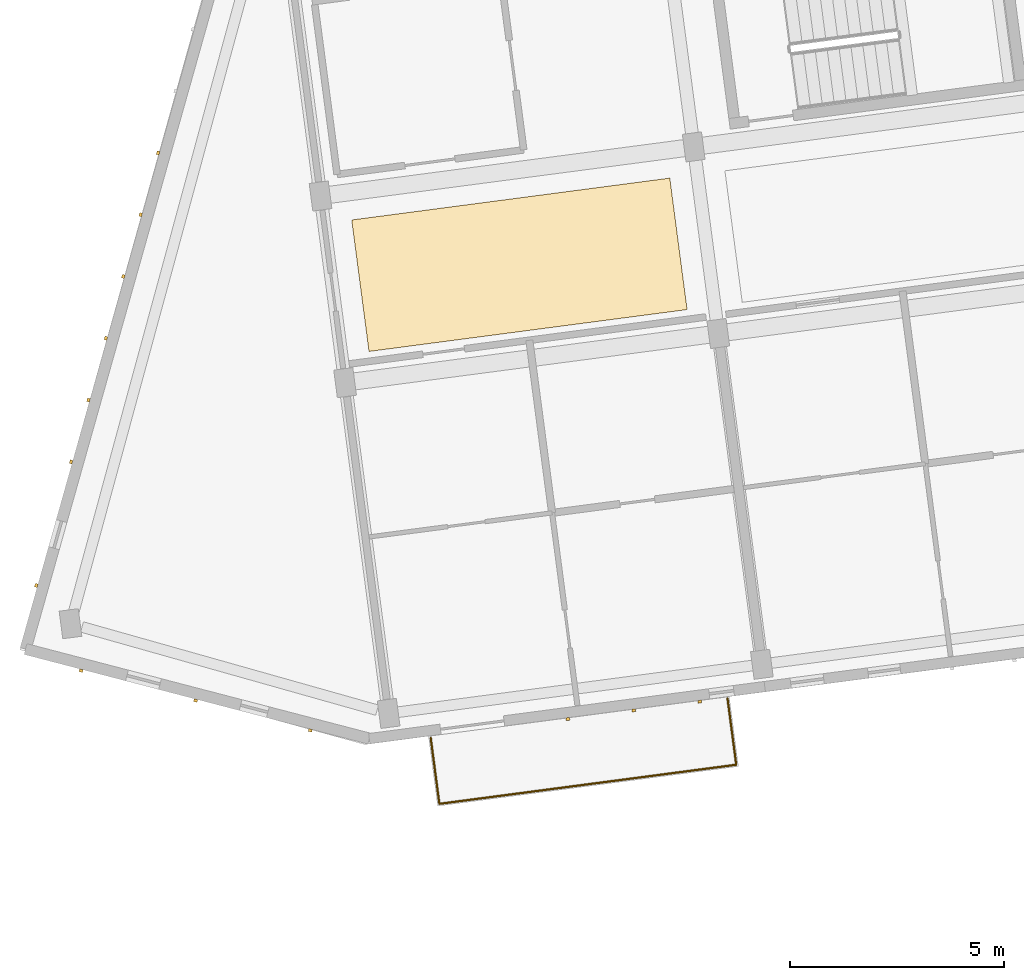
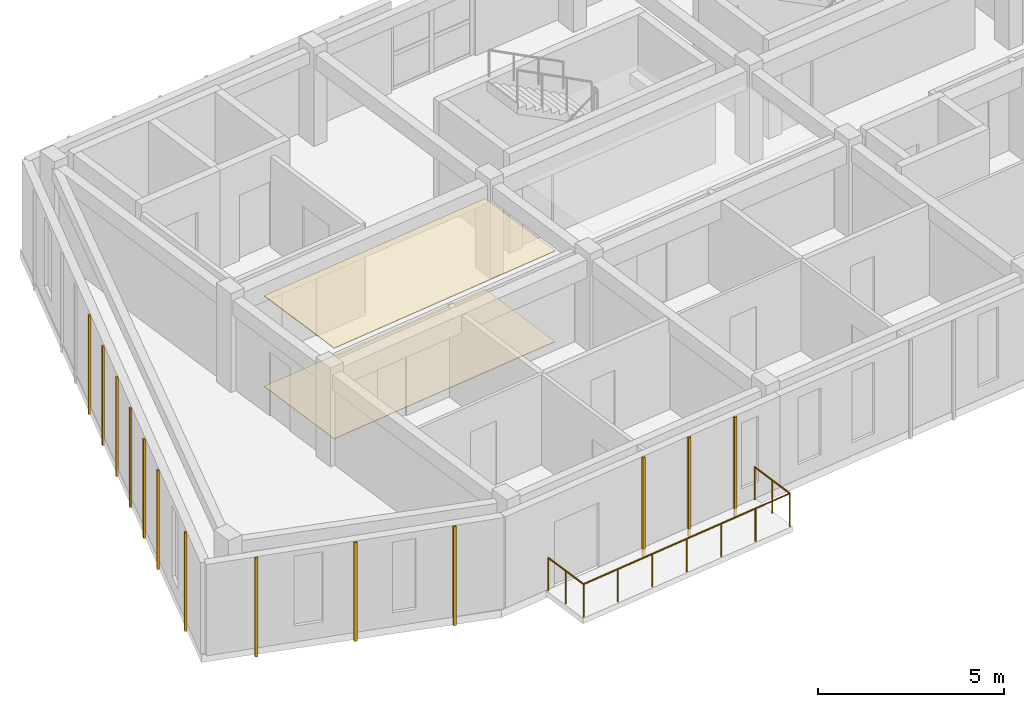
# One storey, part 36 of 56: 15 coverings, 1 railing.
"""IFC4 building model written with IfcOpenShell, lengths in metres."""

from ifc_helpers import new_model, si_unit, direction, frame, origin, origin_2d, place, context, subcontext, project, spatial, polyline, rectangle, circle, outline, extrude, material, layer, layer_set, type_object, element, save


model = new_model("IFC4")

# Units and contexts
model_context = context("Model", 3, precision=1e-05, world=origin(), true_north=direction((0.0, 1.0)))
body_context = subcontext(model_context, "Body", "Model", "MODEL_VIEW")
ifc_project = project(units=[si_unit("LENGTHUNIT", "METRE"), si_unit("AREAUNIT", "SQUARE_METRE"), si_unit("VOLUMEUNIT", "CUBIC_METRE"), si_unit("PLANEANGLEUNIT", "RADIAN"), si_unit("MASSUNIT", "GRAM", prefix="KILO")], contexts=[model_context])

# Site, building, storey
site_placement = place(None, origin())
site = spatial("IfcSite", under=ifc_project, at=site_placement, CompositionType="ELEMENT")
building_placement = place(site_placement, origin())
building = spatial("IfcBuilding", under=site, at=building_placement, Name="Kestramere Prow Commons", CompositionType="ELEMENT")
storey_placement = place(building_placement, frame((0.0, 0.0, 27.89990234375)))
storey = spatial("IfcBuildingStorey", under=building, at=storey_placement, Name="L08", CompositionType="ELEMENT", Elevation=27.89990234375)

# Coverings
ifc_material_1 = material(Name="Mineral Fibre Acoustic Ceiling Tile")
ifc_layer_1 = layer(ifc_material_1, 0.02490234375)
ifc_layer_set_1 = layer_set([ifc_layer_1], Name="Mineral Fibre Acoustic Ceiling Tile")
covering_type_1 = type_object("IfcCoveringType", Name="COV-CEIL-ACOUSTIC", PredefinedType="CEILING", material=ifc_layer_set_1)
covering_1_placement = place(storey_placement, frame((0.0, 0.0, 2.97509765625)))
element("IfcCovering", 1, at=covering_1_placement, inside=storey, type_object=covering_type_1, Name="Block A L08 Corridor Acoustic Ceiling 1", PredefinedType="CEILING", context=body_context, shape_type="SweptSolid", body=[
    extrude(outline(polyline([(10.741455078125, 80.462646484375), (18.17724609375, 81.44140625), (17.772705078125, 84.514892578125), (10.3369140625, 83.5361328125), (10.741455078125, 80.462646484375)])), origin(), (0.0, 0.0, 1.0), 0.02490234375),
])
ifc_material_2 = material(Name="Weathered Zinc-Titanium Standing-Seam Cladding")
ifc_layer_2 = layer(ifc_material_2, 0.074951171875)
ifc_layer_set_2 = layer_set([ifc_layer_2], Name="Weathered Zinc-Titanium Standing-Seam Cladding")
covering_type_2 = type_object("IfcCoveringType", Name="COV-CLAD-SEAM", PredefinedType="CLADDING", material=ifc_layer_set_2)
for number, where, z_axis, x_axis, name in (
    (2, (18.47216796875, 72.274169921875, -0.25), (0.0, 0.0, 1.0), (-0.991444861374, -0.13052619222, 0.0), "EW-A-L08-S-0 Standing-Seam Rib 1"),
    (3, (16.931396484375, 72.0712890625, -0.25), (0.0, 0.0, 1.0), (-0.991444861374, -0.13052619222, 0.0), "EW-A-L08-S-0 Standing-Seam Rib 2"),
    (4, (15.390625, 71.868408203125, -0.25), (0.0, 0.0, 1.0), (-0.991444861374, -0.13052619222, 0.0), "EW-A-L08-S-0 Standing-Seam Rib 3"),
    (5, (9.367431640625, 71.602783203125, -0.25), (0.0, 0.0, 1.0), (-0.96769817096, 0.252111582281, 0.0), "EW-A-L08-PRW-S Standing-Seam Rib 1"),
    (6, (6.6884765625, 72.300537109375, -0.25), (0.0, 0.0, 1.0), (-0.96769817096, 0.252111582281, 0.0), "EW-A-L08-PRW-S Standing-Seam Rib 3"),
    (7, (4.009521484375, 72.99853515625, -0.25), (0.0, 0.0, 1.0), (-0.96769817096, 0.252111582281, 0.0), "EW-A-L08-PRW-S Standing-Seam Rib 5"),
    (8, (2.96142578125, 74.9931640625, -0.25), (0.0, 0.0, 1.0), (0.271159911526, 0.962534312314, 0.0), "EW-A-L08-PRW-N Standing-Seam Rib 1"),
    (9, (3.775146484375, 77.8818359375, -0.25), (0.0, 0.0, 1.0), (0.271159911526, 0.962534312314, 0.0), "EW-A-L08-PRW-N Standing-Seam Rib 3"),
    (10, (4.18212890625, 79.326171875, -0.25), (0.0, 0.0, 1.0), (0.271159911526, 0.962534312314, 0.0), "EW-A-L08-PRW-N Standing-Seam Rib 4"),
    (11, (4.5888671875, 80.7705078125, -0.25), (0.0, 0.0, 1.0), (0.271159911526, 0.962534312314, 0.0), "EW-A-L08-PRW-N Standing-Seam Rib 5"),
    (12, (4.995849609375, 82.21484375, -0.25), (0.0, 0.0, 1.0), (0.271159911526, 0.962534312314, 0.0), "EW-A-L08-PRW-N Standing-Seam Rib 6"),
    (13, (5.40283203125, 83.6591796875, -0.25), (0.0, 0.0, 1.0), (0.271159911526, 0.962534312314, 0.0), "EW-A-L08-PRW-N Standing-Seam Rib 7"),
    (14, (5.8095703125, 85.103271484375, -0.25), (0.0, 0.0, 1.0), (0.271159911526, 0.962534312314, 0.0), "EW-A-L08-PRW-N Standing-Seam Rib 8"),
):
    element("IfcCovering", number, at=place(storey_placement, frame(where, z_axis=z_axis, x_axis=x_axis)), inside=storey, type_object=covering_type_2, Name=name, PredefinedType="CLADDING", context=body_context, shape_type="SweptSolid", body=[
        extrude(rectangle(XDim=0.0849609375, YDim=0.06494140625, at=origin_2d()), origin(), (0.0, 0.0, 1.0), 3.25),
    ])
ifc_material_3 = material(Name="Honed Cementitious Terrazzo Tile")
ifc_layer_3 = layer(ifc_material_3, 0.02001953125)
ifc_layer_set_3 = layer_set([ifc_layer_3], Name="Honed Cementitious Terrazzo Tile")
covering_type_3 = type_object("IfcCoveringType", Name="COV-FLOOR-TERRAZZO", PredefinedType="FLOORING", material=ifc_layer_set_3)
covering_2_placement = place(storey_placement, origin())
element("IfcCovering", 15, at=covering_2_placement, inside=storey, type_object=covering_type_3, Name="Block A L08 Corridor Terrazzo Flooring 1", PredefinedType="FLOORING", context=body_context, shape_type="SweptSolid", body=[
    extrude(outline(polyline([(10.741455078125, 80.462646484375), (18.17724609375, 81.44140625), (17.772705078125, 84.514892578125), (10.3369140625, 83.5361328125), (10.741455078125, 80.462646484375)])), origin(), (0.0, 0.0, 1.0), 0.02001953125),
])

# Railing
ifc_material_4 = material(Name="Powder-Coated Aluminium 6063-T6", Category="aluminium")
railing_type = type_object("IfcRailingType", Name="GRD-BALC-1100", PredefinedType="BALUSTRADE", material=ifc_material_4)
railing_placement = place(storey_placement, frame((12.182373046875, 71.433349609375, 0.0)))
element("IfcRailing", 16, at=railing_placement, inside=storey, type_object=railing_type, Name="Block A L08 Balcony Guardrail 1", PredefinedType="BALUSTRADE", context=body_context, shape_type="SweptSolid", body=[
    extrude(circle(Radius=0.02392578125, at=origin_2d()), frame((0.0, 0.0, 1.076171875), z_axis=(0.130523335136, -0.991445237512, 0.0), x_axis=(0.991445237512, 0.130523335136, 0.0)), (0.0, 0.0, 1.0), 1.56005859375),
    extrude(circle(Radius=0.02392578125, at=origin_2d()), frame((0.20361328125, -1.546630859375, 1.076171875), z_axis=(0.991447052715, 0.13050954625, 0.0), x_axis=(-0.13050954625, 0.991447052715, 0.0)), (0.0, 0.0, 1.0), 7.0),
    extrude(circle(Radius=0.02392578125, at=origin_2d()), frame((7.143798828125, -0.633056640625, 1.076171875), z_axis=(-0.130503085734, 0.991447903127, 0.0), x_axis=(-0.991447903127, -0.130503085734, 0.0)), (0.0, 0.0, 1.0), 1.560302734375),
    extrude(circle(Radius=0.02099609375, at=origin_2d()), origin(), (0.0, 0.0, 1.0), 1.052001953125),
    extrude(circle(Radius=0.02099609375, at=origin_2d()), frame((0.101806640625, -0.7734375, 0.0)), (0.0, 0.0, 1.0), 1.052001953125),
    extrude(circle(Radius=0.02099609375, at=origin_2d()), frame((0.20361328125, -1.546630859375, 0.0)), (0.0, 0.0, 1.0), 1.052001953125),
    extrude(circle(Radius=0.02099609375, at=origin_2d()), frame((1.3603515625, -1.394287109375, 0.0)), (0.0, 0.0, 1.0), 1.052001953125),
    extrude(circle(Radius=0.02099609375, at=origin_2d()), frame((2.51708984375, -1.2421875, 0.0)), (0.0, 0.0, 1.0), 1.052001953125),
    extrude(circle(Radius=0.02099609375, at=origin_2d()), frame((3.673828125, -1.08984375, 0.0)), (0.0, 0.0, 1.0), 1.052001953125),
    extrude(circle(Radius=0.02099609375, at=origin_2d()), frame((4.830322265625, -0.9375, 0.0)), (0.0, 0.0, 1.0), 1.052001953125),
    extrude(circle(Radius=0.02099609375, at=origin_2d()), frame((5.987060546875, -0.785400390625, 0.0)), (0.0, 0.0, 1.0), 1.052001953125),
    extrude(circle(Radius=0.02099609375, at=origin_2d()), frame((7.143798828125, -0.633056640625, 0.0)), (0.0, 0.0, 1.0), 1.052001953125),
    extrude(circle(Radius=0.02099609375, at=origin_2d()), frame((7.0419921875, 0.140380859375, 0.0)), (0.0, 0.0, 1.0), 1.052001953125),
    extrude(circle(Radius=0.02099609375, at=origin_2d()), frame((6.940185546875, 0.913818359375, 0.0)), (0.0, 0.0, 1.0), 1.052001953125),
])

save(model, "model.ifc")
